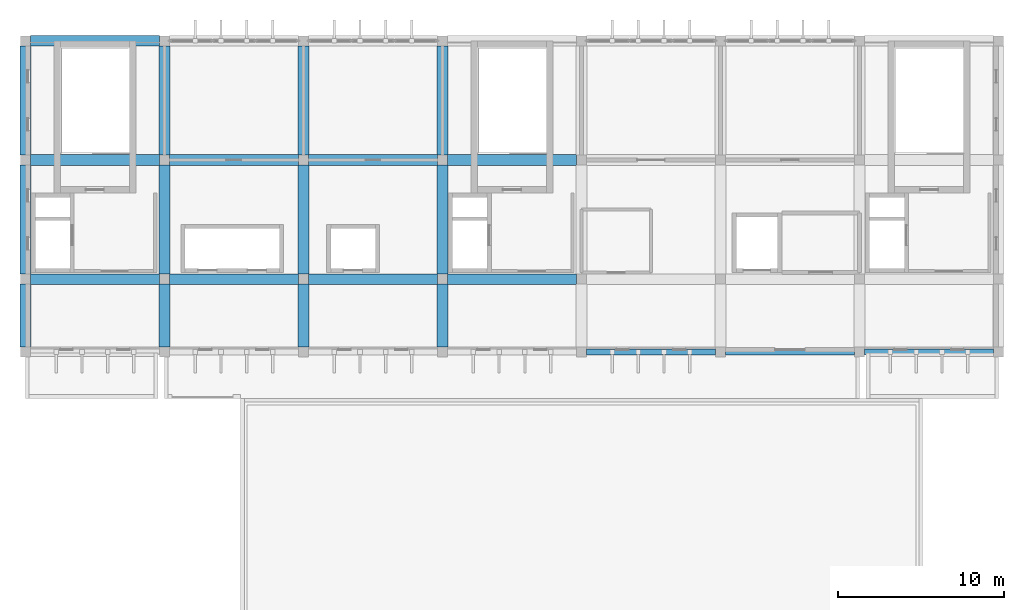
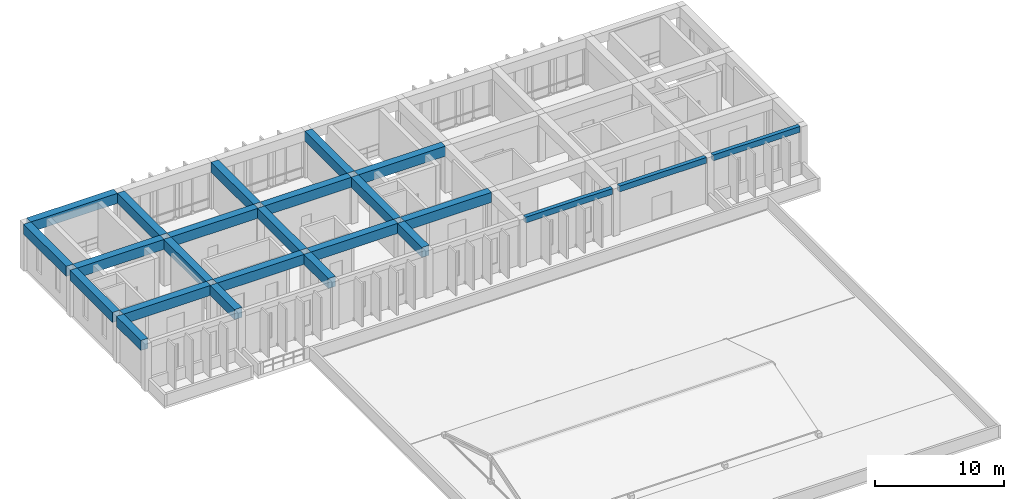
# One storey, part 7 of 16: 24 beams.
"""IFC4 building model written with IfcOpenShell, lengths in metres."""

from ifc_helpers import new_model, si_unit, direction, frame, origin, origin_2d, place, context, subcontext, project, spatial, rectangle, extrude, material, material_profile, profile_set, type_object, element, save


model = new_model("IFC4")

# Units and contexts
model_context = context("Model", 3, precision=1e-05, world=origin(), true_north=direction((0.0, 1.0)))
body_context = subcontext(model_context, "Body", "Model", "MODEL_VIEW")
ifc_project = project(units=[si_unit("LENGTHUNIT", "METRE"), si_unit("AREAUNIT", "SQUARE_METRE"), si_unit("VOLUMEUNIT", "CUBIC_METRE"), si_unit("PLANEANGLEUNIT", "RADIAN"), si_unit("MASSUNIT", "GRAM", prefix="KILO")], contexts=[model_context])

# Site, building, storey
site_placement = place(None, origin())
site = spatial("IfcSite", under=ifc_project, at=site_placement, CompositionType="ELEMENT")
building_placement = place(site_placement, origin())
building = spatial("IfcBuilding", under=site, at=building_placement, Name="Kenerak Square Central Library", CompositionType="ELEMENT")
storey_placement = place(building_placement, frame((0.0, 0.0, 27.840087890625)))
storey = spatial("IfcBuildingStorey", under=building, at=storey_placement, Name="L06", CompositionType="ELEMENT", Elevation=27.840087890625)

# Beams
ifc_material_1 = material(Name="Concrete C45/55", Category="concrete")
ifc_material_profile_1 = material_profile(ifc_material_1, rectangle(XDim=0.64990234375, YDim=0.949951171875, at=origin_2d()), Name="RC 650x950")
ifc_profile_set_1 = profile_set([ifc_material_profile_1], Name="Concrete C45/55")
beam_type_1 = type_object("IfcBeamType", Name="Book Stack Girder B-02 RC 650x950 C45/55", PredefinedType="BEAM", material=ifc_profile_set_1)
beam_1_placement = place(storey_placement, frame((58.39990234375, 91.89990234375, 4.0048828125), z_axis=(0.0, 1.0, 0.0), x_axis=(-1.0, 0.0, 0.0)))
element("IfcBeam", 1, at=beam_1_placement, inside=storey, type_object=beam_type_1, Name="Roof Girder B-02 L06 7-92", PredefinedType="BEAM", context=body_context, shape_type="SweptSolid", body=[
    extrude(rectangle(XDim=0.64990234375, YDim=0.949951171875, at=origin_2d()), origin(), (0.0, 0.0, 1.0), 3.800048828125),
])
beam_2_placement = place(storey_placement, frame((58.39990234375, 96.300048828125, 4.0048828125), z_axis=(0.0, 1.0, 0.0), x_axis=(-1.0, 0.0, 0.0)))
element("IfcBeam", 2, at=beam_2_placement, inside=storey, type_object=beam_type_1, Name="Roof Girder B-02 L06 7-96", PredefinedType="BEAM", context=body_context, shape_type="SweptSolid", body=[
    extrude(rectangle(XDim=0.64990234375, YDim=0.949951171875, at=origin_2d()), origin(), (0.0, 0.0, 1.0), 6.599853515625),
])
beam_3_placement = place(storey_placement, frame((58.39990234375, 103.5, 4.0048828125), z_axis=(0.0, 1.0, 0.0), x_axis=(-1.0, 0.0, 0.0)))
element("IfcBeam", 3, at=beam_3_placement, inside=storey, type_object=beam_type_1, Name="Roof Girder B-02 L06 7-103", PredefinedType="BEAM", context=body_context, shape_type="SweptSolid", body=[
    extrude(rectangle(XDim=0.64990234375, YDim=0.949951171875, at=origin_2d()), origin(), (0.0, 0.0, 1.0), 6.60009765625),
])
beam_4_placement = place(storey_placement, frame((66.800048828125, 91.89990234375, 4.0048828125), z_axis=(0.0, 1.0, 0.0), x_axis=(-1.0, 0.0, 0.0)))
element("IfcBeam", 4, at=beam_4_placement, inside=storey, type_object=beam_type_1, Name="Roof Girder B-02 L06 8-92", PredefinedType="BEAM", context=body_context, shape_type="SweptSolid", body=[
    extrude(rectangle(XDim=0.64990234375, YDim=0.949951171875, at=origin_2d()), origin(), (0.0, 0.0, 1.0), 3.800048828125),
])
beam_5_placement = place(storey_placement, frame((66.800048828125, 96.300048828125, 4.0048828125), z_axis=(0.0, 1.0, 0.0), x_axis=(-1.0, 0.0, 0.0)))
element("IfcBeam", 5, at=beam_5_placement, inside=storey, type_object=beam_type_1, Name="Roof Girder B-02 L06 8-96", PredefinedType="BEAM", context=body_context, shape_type="SweptSolid", body=[
    extrude(rectangle(XDim=0.64990234375, YDim=0.949951171875, at=origin_2d()), origin(), (0.0, 0.0, 1.0), 6.599853515625),
])
beam_6_placement = place(storey_placement, frame((66.800048828125, 103.5, 4.0048828125), z_axis=(0.0, 1.0, 0.0), x_axis=(-1.0, 0.0, 0.0)))
element("IfcBeam", 6, at=beam_6_placement, inside=storey, type_object=beam_type_1, Name="Roof Girder B-02 L06 8-103", PredefinedType="BEAM", context=body_context, shape_type="SweptSolid", body=[
    extrude(rectangle(XDim=0.64990234375, YDim=0.949951171875, at=origin_2d()), origin(), (0.0, 0.0, 1.0), 6.60009765625),
])
beam_7_placement = place(storey_placement, frame((75.199951171875, 91.89990234375, 4.0048828125), z_axis=(0.0, 1.0, 0.0), x_axis=(-1.0, 0.0, 0.0)))
element("IfcBeam", 7, at=beam_7_placement, inside=storey, type_object=beam_type_1, Name="Roof Girder B-02 L06 9-92", PredefinedType="BEAM", context=body_context, shape_type="SweptSolid", body=[
    extrude(rectangle(XDim=0.64990234375, YDim=0.949951171875, at=origin_2d()), origin(), (0.0, 0.0, 1.0), 3.800048828125),
])
beam_8_placement = place(storey_placement, frame((75.199951171875, 96.300048828125, 4.0048828125), z_axis=(0.0, 1.0, 0.0), x_axis=(-1.0, 0.0, 0.0)))
element("IfcBeam", 8, at=beam_8_placement, inside=storey, type_object=beam_type_1, Name="Roof Girder B-02 L06 9-96", PredefinedType="BEAM", context=body_context, shape_type="SweptSolid", body=[
    extrude(rectangle(XDim=0.64990234375, YDim=0.949951171875, at=origin_2d()), origin(), (0.0, 0.0, 1.0), 6.599853515625),
])
beam_9_placement = place(storey_placement, frame((75.199951171875, 103.5, 4.0048828125), z_axis=(0.0, 1.0, 0.0), x_axis=(-1.0, 0.0, 0.0)))
element("IfcBeam", 9, at=beam_9_placement, inside=storey, type_object=beam_type_1, Name="Roof Girder B-02 L06 9-103", PredefinedType="BEAM", context=body_context, shape_type="SweptSolid", body=[
    extrude(rectangle(XDim=0.64990234375, YDim=0.949951171875, at=origin_2d()), origin(), (0.0, 0.0, 1.0), 6.60009765625),
])
beam_10_placement = place(storey_placement, frame((83.60009765625, 91.89990234375, 4.0048828125), z_axis=(0.0, 1.0, 0.0), x_axis=(-1.0, 0.0, 0.0)))
element("IfcBeam", 10, at=beam_10_placement, inside=storey, type_object=beam_type_1, Name="Roof Girder B-02 L06 10-92", PredefinedType="BEAM", context=body_context, shape_type="SweptSolid", body=[
    extrude(rectangle(XDim=0.64990234375, YDim=0.949951171875, at=origin_2d()), origin(), (0.0, 0.0, 1.0), 3.800048828125),
])
beam_11_placement = place(storey_placement, frame((83.60009765625, 96.300048828125, 4.0048828125), z_axis=(0.0, 1.0, 0.0), x_axis=(-1.0, 0.0, 0.0)))
element("IfcBeam", 11, at=beam_11_placement, inside=storey, type_object=beam_type_1, Name="Roof Girder B-02 L06 10-96", PredefinedType="BEAM", context=body_context, shape_type="SweptSolid", body=[
    extrude(rectangle(XDim=0.64990234375, YDim=0.949951171875, at=origin_2d()), origin(), (0.0, 0.0, 1.0), 6.599853515625),
])
beam_12_placement = place(storey_placement, frame((83.60009765625, 103.5, 4.0048828125), z_axis=(0.0, 1.0, 0.0), x_axis=(-1.0, 0.0, 0.0)))
element("IfcBeam", 12, at=beam_12_placement, inside=storey, type_object=beam_type_1, Name="Roof Girder B-02 L06 10-103", PredefinedType="BEAM", context=body_context, shape_type="SweptSolid", body=[
    extrude(rectangle(XDim=0.64990234375, YDim=0.949951171875, at=origin_2d()), origin(), (0.0, 0.0, 1.0), 6.60009765625),
])
beam_13_placement = place(storey_placement, frame((58.699951171875, 96.0, 4.0048828125), z_axis=(1.0, 0.0, 0.0), x_axis=(0.0, 1.0, 0.0)))
element("IfcBeam", 13, at=beam_13_placement, inside=storey, type_object=beam_type_1, Name="Roof Girder B-02 L06 EW-58-96", PredefinedType="BEAM", context=body_context, shape_type="SweptSolid", body=[
    extrude(rectangle(XDim=0.64990234375, YDim=0.949951171875, at=origin_2d()), origin(), (0.0, 0.0, 1.0), 7.800048828125),
])
beam_14_placement = place(storey_placement, frame((67.10009765625, 96.0, 4.0048828125), z_axis=(1.0, 0.0, 0.0), x_axis=(0.0, 1.0, 0.0)))
element("IfcBeam", 14, at=beam_14_placement, inside=storey, type_object=beam_type_1, Name="Roof Girder B-02 L06 EW-67-96", PredefinedType="BEAM", context=body_context, shape_type="SweptSolid", body=[
    extrude(rectangle(XDim=0.64990234375, YDim=0.949951171875, at=origin_2d()), origin(), (0.0, 0.0, 1.0), 7.7998046875),
])
for number, where, z_axis, x_axis, name in (
    (15, (75.5, 96.0, 4.0048828125), (1.0, 0.0, 0.0), (0.0, 1.0, 0.0), "Roof Girder B-02 L06 EW-75-96"),
    (16, (83.89990234375, 96.0, 4.0048828125), (1.0, 0.0, 0.0), (0.0, 1.0, 0.0), "Roof Girder B-02 L06 EW-84-96"),
    (17, (58.699951171875, 103.199951171875, 4.0048828125), (1.0, 0.0, 0.0), (0.0, 1.0, 0.0), "Roof Girder B-02 L06 EW-58-103"),
):
    element("IfcBeam", number, at=place(storey_placement, frame(where, z_axis=z_axis, x_axis=x_axis)), inside=storey, type_object=beam_type_1, Name=name, PredefinedType="BEAM", context=body_context, shape_type="SweptSolid", body=[
        extrude(rectangle(XDim=0.64990234375, YDim=0.949951171875, at=origin_2d()), origin(), (0.0, 0.0, 1.0), 7.800048828125),
    ])
beam_15_placement = place(storey_placement, frame((67.10009765625, 103.199951171875, 4.0048828125), z_axis=(1.0, 0.0, 0.0), x_axis=(0.0, 1.0, 0.0)))
element("IfcBeam", 18, at=beam_15_placement, inside=storey, type_object=beam_type_1, Name="Roof Girder B-02 L06 EW-67-103", PredefinedType="BEAM", context=body_context, shape_type="SweptSolid", body=[
    extrude(rectangle(XDim=0.64990234375, YDim=0.949951171875, at=origin_2d()), origin(), (0.0, 0.0, 1.0), 7.7998046875),
])
for number, where, z_axis, x_axis, name in (
    (19, (75.5, 103.199951171875, 4.0048828125), (1.0, 0.0, 0.0), (0.0, 1.0, 0.0), "Roof Girder B-02 L06 EW-75-103"),
    (20, (83.89990234375, 103.199951171875, 4.0048828125), (1.0, 0.0, 0.0), (0.0, 1.0, 0.0), "Roof Girder B-02 L06 EW-84-103"),
    (21, (58.699951171875, 110.39990234375, 4.0048828125), (1.0, 0.0, 0.0), (0.0, 1.0, 0.0), "Roof Girder B-02 L06 EW-58-110"),
):
    element("IfcBeam", number, at=place(storey_placement, frame(where, z_axis=z_axis, x_axis=x_axis)), inside=storey, type_object=beam_type_1, Name=name, PredefinedType="BEAM", context=body_context, shape_type="SweptSolid", body=[
        extrude(rectangle(XDim=0.64990234375, YDim=0.949951171875, at=origin_2d()), origin(), (0.0, 0.0, 1.0), 7.800048828125),
    ])
ifc_material_2 = material(Name="Concrete C40/50", Category="concrete")
ifc_material_profile_2 = material_profile(ifc_material_2, rectangle(XDim=0.35009765625, YDim=0.550048828125, at=origin_2d()), Name="RC 350x550")
ifc_profile_set_2 = profile_set([ifc_material_profile_2], Name="Concrete C40/50")
beam_type_2 = type_object("IfcBeamType", Name="Roof Edge Beam B-07 RC 350x550 C40/50", PredefinedType="BEAM", material=ifc_profile_set_2)
for number, where, z_axis, x_axis, name in (
    (22, (92.300048828125, 91.60009765625, 4.204833984375), (1.0, 0.0, 0.0), (0.0, 1.0, 0.0), "Roof Edge Beam B-07 05"),
    (23, (100.699951171875, 91.60009765625, 4.204833984375), (1.0, 0.0, 0.0), (0.0, 1.0, 0.0), "Roof Edge Beam B-07 06"),
):
    element("IfcBeam", number, at=place(storey_placement, frame(where, z_axis=z_axis, x_axis=x_axis)), inside=storey, type_object=beam_type_2, Name=name, PredefinedType="BEAM", context=body_context, shape_type="SweptSolid", body=[
        extrude(rectangle(XDim=0.35009765625, YDim=0.550048828125, at=origin_2d()), origin(), (0.0, 0.0, 1.0), 7.800048828125),
    ])
beam_16_placement = place(storey_placement, frame((109.10009765625, 91.60009765625, 4.204833984375), z_axis=(1.0, 0.0, 0.0), x_axis=(0.0, 1.0, 0.0)))
element("IfcBeam", 24, at=beam_16_placement, inside=storey, type_object=beam_type_2, Name="Roof Edge Beam B-07 07", PredefinedType="BEAM", context=body_context, shape_type="SweptSolid", body=[
    extrude(rectangle(XDim=0.35009765625, YDim=0.550048828125, at=origin_2d()), origin(), (0.0, 0.0, 1.0), 7.7998046875),
])

save(model, "model.ifc")
